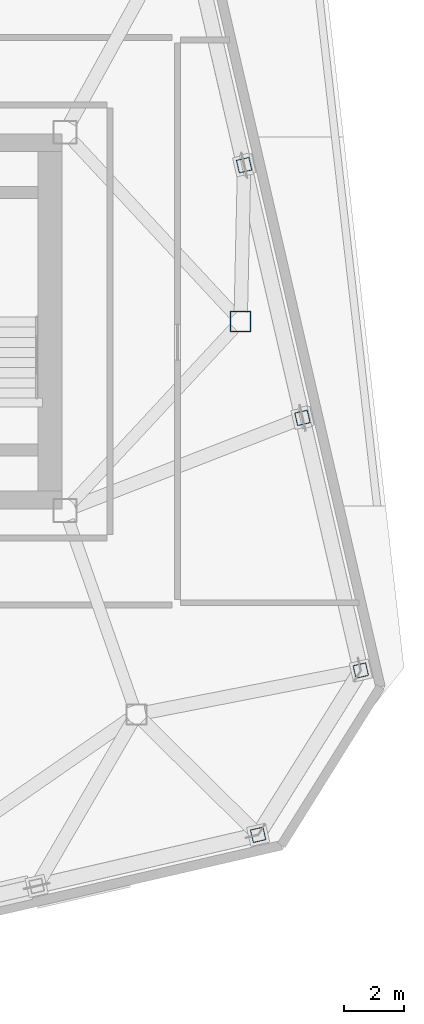
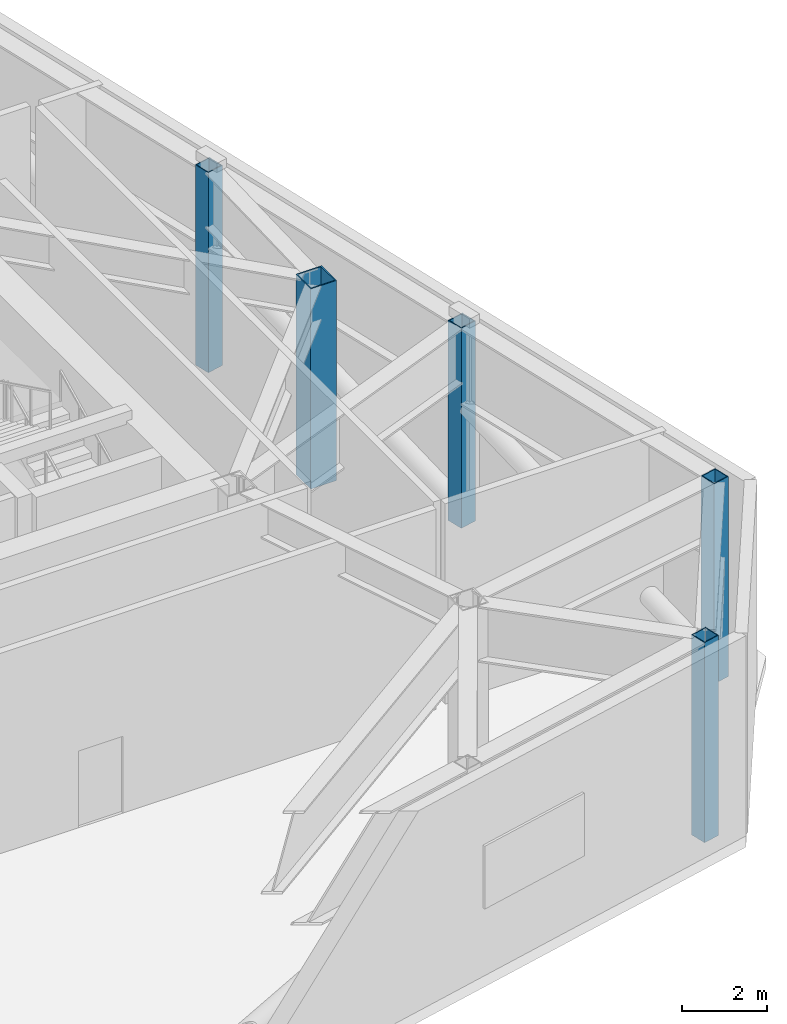
# One storey, part 3 of 15: 5 columns.
"""IFC4 building model written with IfcOpenShell, lengths in metres."""

import ifcopenshell
import ifcopenshell.guid

model = None  # the IFC model being written
_history = None  # IfcOwnerHistory: only IFC2X3 demands one
_inside = {}  # id of a spatial element -> (the spatial element, [elements in it])
_under = {}  # id of a project, library or spatial element -> (it, [spatial elements below it])
_declared = {}  # id of a project -> (the project, [libraries it declares])
_typed = {}  # id of a type object -> (the type object, [elements of that type])
_made_of = {}  # id of a material, layer set ... -> (it, [elements and type objects made of it])


def new_model(schema):
    """Start an empty IFC model of exactly this schema.

    Asked for "IFC4X3", IfcOpenShell would pick the latest addendum, in which some entities
    have other attributes; the version numbers below select the first issue.
    IFC2X3 requires an IfcOwnerHistory on every rooted entity: one is made here for all.
    """
    global model, _history
    if schema == "IFC4X3":
        model = ifcopenshell.file(schema_version=(4, 3, 0, 0))
    else:
        model = ifcopenshell.file(schema=schema)
    _inside.clear()
    _under.clear()
    _declared.clear()
    _typed.clear()
    _made_of.clear()
    _history = None
    if model.schema == "IFC2X3":
        org = make("IfcOrganization", Name="unknown")
        user = make(
            "IfcPersonAndOrganization",
            ThePerson=make("IfcPerson", FamilyName="unknown"),
            TheOrganization=org,
        )
        app = make(
            "IfcApplication",
            ApplicationDeveloper=org,
            Version="unknown",
            ApplicationFullName="unknown",
            ApplicationIdentifier="unknown",
        )
        _history = make(
            "IfcOwnerHistory",
            OwningUser=user,
            OwningApplication=app,
            ChangeAction="ADDED",
            CreationDate=0,
        )
    return model


def make(cls, **values):
    """One entity of the class cls with the attributes given. An attribute that is None is left unset."""
    return model.create_entity(
        cls, **{name: value for name, value in values.items() if value is not None}
    )


def rooted(cls, **values):
    """An entity with a GlobalId (a new one), such as an element, a storey or a relation."""
    return make(cls, GlobalId=ifcopenshell.guid.new(), OwnerHistory=_history, **values)


def si_unit(unit_type, name, prefix=None):
    """IfcSIUnit, for example si_unit("LENGTHUNIT", "METRE", prefix="MILLI")."""
    return make("IfcSIUnit", UnitType=unit_type, Prefix=prefix, Name=name)


def assignment(units):
    """IfcUnitAssignment: the units of a project."""
    return None if units is None else make("IfcUnitAssignment", Units=units)


def point(xyz):
    """IfcCartesianPoint."""
    return None if xyz is None else make("IfcCartesianPoint", Coordinates=xyz)


def direction(xyz):
    """IfcDirection."""
    return None if xyz is None else make("IfcDirection", DirectionRatios=xyz)


def frame(location, z_axis=None, x_axis=None):
    """IfcAxis2Placement3D, a coordinate frame: its origin and axes. An axis left out is left unset."""
    return make(
        "IfcAxis2Placement3D",
        Location=point(location),
        Axis=direction(z_axis),
        RefDirection=direction(x_axis),
    )


def frame_2d(location, x_axis=None):
    """IfcAxis2Placement2D, a coordinate frame in the plane: its origin and x axis."""
    return make(
        "IfcAxis2Placement2D", Location=point(location), RefDirection=direction(x_axis)
    )


def origin():
    """The frame at (0, 0, 0) with its axes left unset."""
    return frame((0.0, 0.0, 0.0))


def origin_2d():
    """The frame at (0, 0) in the plane with its x axis left unset."""
    return frame_2d((0.0, 0.0))


def place(relative_to, where):
    """IfcLocalPlacement: puts the frame where relative to a parent placement (None: the world)."""
    return make(
        "IfcLocalPlacement", PlacementRelTo=relative_to, RelativePlacement=where
    )


def context(
    kind, dimensions, precision=None, world=None, true_north=None, identifier=None
):
    """IfcGeometricRepresentationContext, for example the 3D "Model" context."""
    return make(
        "IfcGeometricRepresentationContext",
        ContextIdentifier=identifier,
        ContextType=kind,
        CoordinateSpaceDimension=dimensions,
        Precision=precision,
        WorldCoordinateSystem=world,
        TrueNorth=true_north,
    )


def subcontext(parent, identifier, kind, view, scale=None):
    """IfcGeometricRepresentationSubContext, for example "Body" below "Model"."""
    return make(
        "IfcGeometricRepresentationSubContext",
        ContextIdentifier=identifier,
        ContextType=kind,
        ParentContext=parent,
        TargetScale=scale,
        TargetView=view,
    )


def project(units=None, contexts=None):
    """IfcProject with its units and contexts."""
    return rooted(
        "IfcProject",
        Name="project",
        RepresentationContexts=contexts,
        UnitsInContext=assignment(units),
    )


def spatial(cls, under=None, at=None, **own):
    """A site, building, storey or space (cls), placed at a placement, below another one or the project."""
    s = rooted(cls, ObjectPlacement=at, **own)
    if under is not None:
        _under.setdefault(under.id(), (under, []))[1].append(s)
    return s


def profile(cls, at=None, kind="AREA", **sizes):
    """A parametric profile (cls). Its sizes go by their IFC names, for example OverallWidth=200.0."""
    return make(cls, ProfileType=kind, Position=at, **sizes)


def hollow_rectangle(**sizes):
    """IfcRectangleHollowProfileDef."""
    return profile("IfcRectangleHollowProfileDef", **sizes)


def extrude(swept, where, along, depth):
    """IfcExtrudedAreaSolid: the profile swept, set in the frame where, extruded along a direction by depth."""
    return make(
        "IfcExtrudedAreaSolid",
        SweptArea=swept,
        Position=where,
        ExtrudedDirection=direction(along),
        Depth=depth,
    )


def shape(context_of_items, identifier, shape_type, items):
    """IfcShapeRepresentation: the items that make up one representation, for example the "Body"."""
    return make(
        "IfcShapeRepresentation",
        ContextOfItems=context_of_items,
        RepresentationIdentifier=identifier,
        RepresentationType=shape_type,
        Items=items,
    )


def material(Name=None, Category=None):
    """IfcMaterial."""
    return make("IfcMaterial", Name=Name, Category=Category)


def material_profile(
    of_material, cross_section, Name=None, Category=None, Priority=None
):
    """IfcMaterialProfile: a cross section and its material."""
    return make(
        "IfcMaterialProfile",
        Name=Name,
        Material=of_material,
        Profile=cross_section,
        Priority=Priority,
        Category=Category,
    )


def profile_set(profiles, Name=None, composite=None):
    """IfcMaterialProfileSet."""
    return make(
        "IfcMaterialProfileSet",
        Name=Name,
        MaterialProfiles=profiles,
        CompositeProfile=composite,
    )


def made_of(thing, what):
    """Note that an element or type object is made of a material, layer set ...; save() writes the relation."""
    if what is not None:
        _made_of.setdefault(what.id(), (what, []))[1].append(thing)
    return thing


def type_object(cls, material=None, **own):
    """A type object (cls), such as IfcWallType, which elements share."""
    return made_of(rooted(cls, **own), material)


def element(
    cls,
    number,
    at=None,
    inside=None,
    cuts=None,
    type_object=None,
    material=None,
    context=None,
    identifier="Body",
    shape_type=None,
    held_by="IfcProductDefinitionShape",
    body=None,
    shapes=None,
    **own,
):
    """One element of the class cls, such as IfcWall. Its Tag is "e" and its number.

    at: its placement. inside: the storey or other place that contains it. cuts: it is an
    opening in that element (IfcRelVoidsElement). A single representation is given by context,
    identifier, shape_type and body (its items); several are given by shapes. held_by: the class
    of the entity that holds the representations. save() writes the other relations.
    """
    e = rooted(cls, Tag="e%d" % number, ObjectPlacement=at, **own)
    if body is not None:
        shapes = [shape(context, identifier, shape_type, body)]
    if shapes is not None:
        e.Representation = make(held_by, Representations=shapes)
    if inside is not None:
        _inside.setdefault(inside.id(), (inside, []))[1].append(e)
    if cuts is not None:
        rooted(
            "IfcRelVoidsElement", RelatingBuildingElement=cuts, RelatedOpeningElement=e
        )
    if type_object is not None:
        _typed.setdefault(type_object.id(), (type_object, []))[1].append(e)
    return made_of(e, material)


def aggregate(whole, parts):
    """IfcRelAggregates: a whole, such as a stair, and the parts it consists of."""
    return rooted("IfcRelAggregates", RelatingObject=whole, RelatedObjects=parts)


def save(model, path):
    """Write the relations noted so far, then the file.

    IfcRelAggregates (storeys below a building ...), IfcRelContainedInSpatialStructure (elements
    in a storey), IfcRelDefinesByType, IfcRelAssociatesMaterial and IfcRelDeclares: one each for
    every whole, place, type object, material and project.
    """
    for whole, parts in _under.values():
        aggregate(whole, parts)
    for where, things in _inside.values():
        rooted(
            "IfcRelContainedInSpatialStructure",
            RelatedElements=things,
            RelatingStructure=where,
        )
    for kind, things in _typed.values():
        rooted("IfcRelDefinesByType", RelatedObjects=things, RelatingType=kind)
    for what, things in _made_of.values():
        rooted("IfcRelAssociatesMaterial", RelatedObjects=things, RelatingMaterial=what)
    for by, libraries in _declared.values():
        rooted("IfcRelDeclares", RelatingContext=by, RelatedDefinitions=libraries)
    model.write(path)


model = new_model("IFC4")

# Units and contexts
model_context = context("Model", 3, precision=1e-05, world=origin(), true_north=direction((0.0, 1.0)))
body_context = subcontext(model_context, "Body", "Model", "MODEL_VIEW")
ifc_project = project(units=[si_unit("LENGTHUNIT", "METRE"), si_unit("AREAUNIT", "SQUARE_METRE"), si_unit("VOLUMEUNIT", "CUBIC_METRE"), si_unit("PLANEANGLEUNIT", "RADIAN"), si_unit("MASSUNIT", "GRAM", prefix="KILO")], contexts=[model_context])

# Site, building, storey
site_placement = place(None, origin())
site = spatial("IfcSite", under=ifc_project, at=site_placement, CompositionType="ELEMENT")
building_placement = place(site_placement, origin())
building = spatial("IfcBuilding", under=site, at=building_placement, Name="Tavrogorsk Clinical Tower", CompositionType="ELEMENT")
storey_placement = place(building_placement, frame((0.0, 0.0, 271.0)))
storey = spatial("IfcBuildingStorey", under=building, at=storey_placement, Name="L63", CompositionType="ELEMENT", Elevation=271.0)

# Columns
ifc_material_1 = material(Name="Structural steel S440", Category="steel")
ifc_material_profile_1 = material_profile(ifc_material_1, hollow_rectangle(XDim=0.699951171875, YDim=0.699951171875, WallThickness=0.031982421875, at=origin_2d()), Name="BOX-700x700x32")
ifc_profile_set_1 = profile_set([ifc_material_profile_1], Name="Structural steel S440")
column_type_1 = type_object("IfcColumnType", Name="MegaCol_BOX700", PredefinedType="COLUMN", material=ifc_profile_set_1)
column_placement = place(storey_placement, frame((28.0, 0.0, 0.0), z_axis=(0.0, 0.0, 1.0), x_axis=(1.0, 0.0, 0.0)))
element("IfcColumn", 1, at=column_placement, inside=storey, type_object=column_type_1, Name="L63 Spine Pilotis Column MC-P6", PredefinedType="COLUMN", context=body_context, shape_type="SweptSolid", body=[
    extrude(hollow_rectangle(XDim=0.699951171875, YDim=0.699951171875, WallThickness=0.031982421875, at=origin_2d()), origin(), (0.0, 0.0, 1.0), 5.739990234375),
])
ifc_material_2 = material(Name="Structural steel S440", Category="steel")
ifc_material_profile_2 = material_profile(ifc_material_2, hollow_rectangle(XDim=0.449951171875, YDim=0.449951171875, WallThickness=0.02197265625, at=origin_2d()), Name="BOX-450x450x22")
ifc_profile_set_2 = profile_set([ifc_material_profile_2], Name="Structural steel S440")
column_type_2 = type_object("IfcColumnType", Name="PerimCol_B5_BOX450", PredefinedType="COLUMN", material=ifc_profile_set_2)
for number, where, z_axis, x_axis, name in (
    (2, (28.588623046875, -17.244873046875, 0.0), (0.0, 0.0, 1.0), (0.974370064785, 0.224951054344, 0.0), "L63 Perimeter Column S8"),
    (3, (32.035888671875, -11.72802734375, 0.0), (0.0, 0.0, 1.0), (0.974370064785, 0.224951054344, 0.0), "L63 Perimeter Column E1"),
    (4, (30.07666015625, -3.2412109375, 0.0), (0.0, 0.0, 1.0), (0.974370064785, 0.224951054344, 0.0), "L63 Perimeter Column E2"),
    (5, (28.1171875, 5.24560546875, 0.0), (0.0, 0.0, 1.0), (0.974370064785, 0.224951054344, 0.0), "L63 Perimeter Column E3"),
):
    element("IfcColumn", number, at=place(storey_placement, frame(where, z_axis=z_axis, x_axis=x_axis)), inside=storey, type_object=column_type_2, Name=name, PredefinedType="COLUMN", context=body_context, shape_type="SweptSolid", body=[
        extrude(hollow_rectangle(XDim=0.449951171875, YDim=0.449951171875, WallThickness=0.02197265625, at=origin_2d()), origin(), (0.0, 0.0, 1.0), 5.739990234375),
    ])

save(model, "model.ifc")
